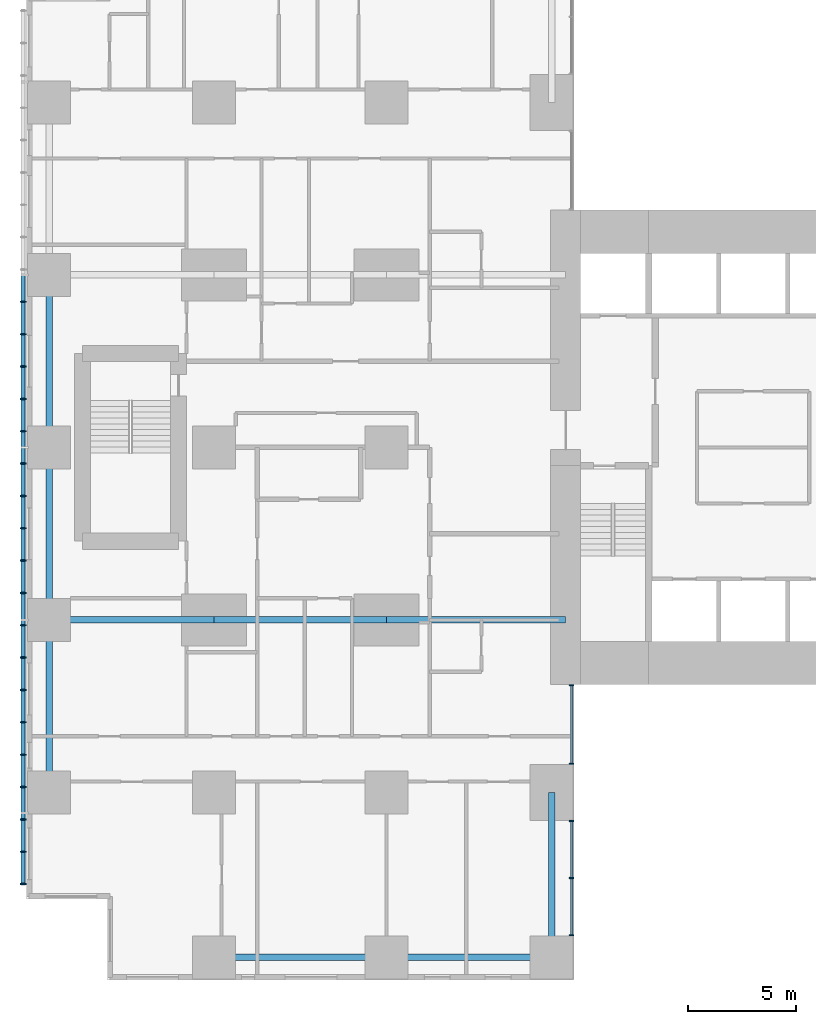
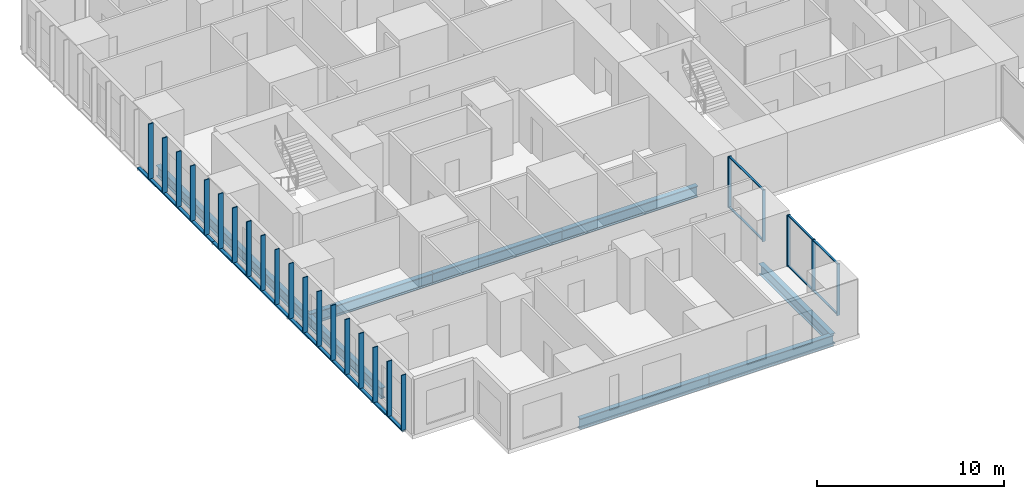
# One storey, part 2 of 20: 33 members, 9 beams, 2 elements without a shape of their own.
"""IFC4 building model written with IfcOpenShell, lengths in metres."""

from ifc_helpers import new_model, si_unit, direction, frame, origin, origin_2d, place, context, subcontext, project, spatial, rectangle, hollow_rectangle, i_section, extrude, material, layer, layer_set, material_profile, profile_set, type_object, element, aggregate, save


model = new_model("IFC4")

# Units and contexts
model_context = context("Model", 3, precision=1e-05, world=origin(), true_north=direction((0.0, 1.0)))
body_context = subcontext(model_context, "Body", "Model", "MODEL_VIEW")
ifc_project = project(units=[si_unit("LENGTHUNIT", "METRE"), si_unit("AREAUNIT", "SQUARE_METRE"), si_unit("VOLUMEUNIT", "CUBIC_METRE"), si_unit("PLANEANGLEUNIT", "RADIAN"), si_unit("MASSUNIT", "GRAM", prefix="KILO")], contexts=[model_context])

# Site, building, storey
site_placement = place(None, origin())
site = spatial("IfcSite", under=ifc_project, at=site_placement, CompositionType="ELEMENT")
building_placement = place(site_placement, origin())
building = spatial("IfcBuilding", under=site, at=building_placement, Name="Cleftline Residences", CompositionType="ELEMENT")
storey_placement = place(building_placement, frame((0.0, 0.0, 117.800048828125)))
storey = spatial("IfcBuildingStorey", under=building, at=storey_placement, Name="L30", CompositionType="ELEMENT", Elevation=117.800048828125)

# Members
ifc_material_1 = material(Name="Steel S355, hot-dip galvanised", Category="steel")
ifc_material_profile_1 = material_profile(ifc_material_1, hollow_rectangle(XDim=0.10009765625, YDim=0.199951171875, WallThickness=0.008056640625, InnerFilletRadius=0.008056640625, OuterFilletRadius=0.011962890625, at=origin_2d()))
ifc_profile_set_1 = profile_set([ifc_material_profile_1], Name="Steel S355, hot-dip galvanised")
member_type_1 = type_object("IfcMemberType", Name="BAGUETTE CARRIER RHS 200X100X8", PredefinedType="USERDEFINED", material=ifc_profile_set_1)
for number, where, z_axis, x_axis, name in (
    (1, (-0.85009765625, 32.0, -0.050048828125), (0.0, -1.0, 0.0), (0.0, 0.0, 1.0), "Baguette carrier"),
    (2, (-0.85009765625, 24.0, -0.050048828125), (0.0, -1.0, 0.0), (0.0, 0.0, 1.0), "Baguette carrier"),
):
    element("IfcMember", number, at=place(storey_placement, frame(where, z_axis=z_axis, x_axis=x_axis)), inside=storey, type_object=member_type_1, Name=name, ObjectType="BAGUETTE CARRIER", PredefinedType="USERDEFINED", context=body_context, shape_type="SweptSolid", body=[
        extrude(hollow_rectangle(XDim=0.10009765625, YDim=0.199951171875, WallThickness=0.008056640625, InnerFilletRadius=0.008056640625, OuterFilletRadius=0.011962890625, at=origin_2d()), origin(), (0.0, 0.0, 1.0), 8.0),
    ])
member_1_placement = place(storey_placement, frame((-0.85009765625, 16.0, -0.050048828125), z_axis=(0.0, -1.0, 0.0), x_axis=(0.0, 0.0, 1.0)))
element("IfcMember", 3, at=member_1_placement, inside=storey, type_object=member_type_1, Name="Baguette carrier", ObjectType="BAGUETTE CARRIER", PredefinedType="USERDEFINED", context=body_context, shape_type="SweptSolid", body=[
    extrude(hollow_rectangle(XDim=0.10009765625, YDim=0.199951171875, WallThickness=0.008056640625, InnerFilletRadius=0.008056640625, OuterFilletRadius=0.011962890625, at=origin_2d()), origin(), (0.0, 0.0, 1.0), 12.300048828125),
])

# Beams
ifc_material_2 = material(Name="Steel S355", Category="steel")
ifc_material_profile_2 = material_profile(ifc_material_2, i_section(OverallWidth=0.300048828125, OverallDepth=0.699951171875, WebThickness=0.01708984375, FlangeThickness=0.031982421875, FilletRadius=0.027099609375, at=origin_2d()))
ifc_profile_set_2 = profile_set([ifc_material_profile_2], Name="Steel S355")
beam_type_1 = type_object("IfcBeamType", Name="BEAM HEB 700", PredefinedType="BEAM", material=ifc_profile_set_2)
for number, where, z_axis, x_axis, name in (
    (4, (0.35009765625, 8.0, -0.60009765625), (0.0, 1.0, 0.0), (-1.0, 0.0, 0.0), "Edge beam"),
    (5, (0.35009765625, 16.0, -0.60009765625), (0.0, 1.0, 0.0), (-1.0, 0.0, 0.0), "Edge beam"),
    (6, (0.35009765625, 24.0, -0.60009765625), (0.0, 1.0, 0.0), (-1.0, 0.0, 0.0), "Edge beam"),
    (7, (8.0, 0.35009765625, -0.60009765625), (1.0, 0.0, 0.0), (0.0, 1.0, 0.0), "Edge beam"),
):
    element("IfcBeam", number, at=place(storey_placement, frame(where, z_axis=z_axis, x_axis=x_axis)), inside=storey, type_object=beam_type_1, Name=name, PredefinedType="BEAM", context=body_context, shape_type="SweptSolid", body=[
        extrude(i_section(OverallWidth=0.300048828125, OverallDepth=0.699951171875, WebThickness=0.01708984375, FlangeThickness=0.031982421875, FilletRadius=0.027099609375, at=origin_2d()), origin(), (0.0, 0.0, 1.0), 8.0),
    ])
for number, where, z_axis, x_axis, name in (
    (8, (16.0, 0.35009765625, -0.60009765625), (1.0, 0.0, 0.0), (0.0, 1.0, 0.0), "Edge beam"),
    (9, (23.64990234375, 0.35009765625, -0.60009765625), (0.0, 1.0, 0.0), (-1.0, 0.0, 0.0), "Edge beam"),
):
    element("IfcBeam", number, at=place(storey_placement, frame(where, z_axis=z_axis, x_axis=x_axis)), inside=storey, type_object=beam_type_1, Name=name, PredefinedType="BEAM", context=body_context, shape_type="SweptSolid", body=[
        extrude(i_section(OverallWidth=0.300048828125, OverallDepth=0.699951171875, WebThickness=0.01708984375, FlangeThickness=0.031982421875, FilletRadius=0.027099609375, at=origin_2d()), origin(), (0.0, 0.0, 1.0), 7.64990234375),
    ])
ifc_material_3 = material(Name="Steel S355", Category="steel")
ifc_material_profile_3 = material_profile(ifc_material_3, i_section(OverallWidth=0.303955078125, OverallDepth=0.716064453125, WebThickness=0.02099609375, FlangeThickness=0.0400390625, FilletRadius=0.027099609375, at=origin_2d()))
ifc_profile_set_3 = profile_set([ifc_material_profile_3], Name="Steel S355")
beam_type_2 = type_object("IfcBeamType", Name="BEAM HEM 700", PredefinedType="BEAM", material=ifc_profile_set_3)
beam_1_placement = place(storey_placement, frame((0.35009765625, 16.0, -0.608154296875), z_axis=(1.0, 0.0, 0.0), x_axis=(0.0, 1.0, 0.0)))
element("IfcBeam", 10, at=beam_1_placement, inside=storey, type_object=beam_type_2, Name="Band beam", PredefinedType="BEAM", context=body_context, shape_type="SweptSolid", body=[
    extrude(i_section(OverallWidth=0.303955078125, OverallDepth=0.716064453125, WebThickness=0.02099609375, FlangeThickness=0.0400390625, FilletRadius=0.027099609375, at=origin_2d()), origin(), (0.0, 0.0, 1.0), 7.64990234375),
])
beam_2_placement = place(storey_placement, frame((8.0, 16.0, -0.608154296875), z_axis=(1.0, 0.0, 0.0), x_axis=(0.0, 1.0, 0.0)))
element("IfcBeam", 11, at=beam_2_placement, inside=storey, type_object=beam_type_2, Name="Band beam", PredefinedType="BEAM", context=body_context, shape_type="SweptSolid", body=[
    extrude(i_section(OverallWidth=0.303955078125, OverallDepth=0.716064453125, WebThickness=0.02099609375, FlangeThickness=0.0400390625, FilletRadius=0.027099609375, at=origin_2d()), origin(), (0.0, 0.0, 1.0), 8.0),
])
beam_3_placement = place(storey_placement, frame((16.0, 16.0, -0.608154296875), z_axis=(1.0, 0.0, 0.0), x_axis=(0.0, 1.0, 0.0)))
element("IfcBeam", 12, at=beam_3_placement, inside=storey, type_object=beam_type_2, Name="Band beam", PredefinedType="BEAM", context=body_context, shape_type="SweptSolid", body=[
    extrude(i_section(OverallWidth=0.303955078125, OverallDepth=0.716064453125, WebThickness=0.02099609375, FlangeThickness=0.0400390625, FilletRadius=0.027099609375, at=origin_2d()), origin(), (0.0, 0.0, 1.0), 8.300048828125),
])

# Curtain wall, members
ifc_material_4 = material(Name="Aluminium framed curtain wall", Category="aluminium")
ifc_layer = layer(ifc_material_4, 0.199951171875)
ifc_layer_set = layer_set([ifc_layer], Name="CW1 CLEFT GLAZING")
curtain_wall_type = type_object("IfcCurtainWallType", Name="CW1 CLEFT GLAZING", PredefinedType="NOTDEFINED", material=ifc_layer_set)
curtain_wall_1_placement = place(storey_placement, origin())
curtain_wall_1 = element("IfcCurtainWall", 13, at=curtain_wall_1_placement, inside=storey, type_object=curtain_wall_type, Name="Curtain wall CW1", PredefinedType="NOTDEFINED")
ifc_material_5 = material(Name="Aluminium mullion", Category="aluminium")
ifc_material_profile_4 = material_profile(ifc_material_5, rectangle(XDim=0.199951171875, YDim=0.06005859375, at=origin_2d()))
ifc_profile_set_4 = profile_set([ifc_material_profile_4], Name="Aluminium mullion")
member_type_2 = type_object("IfcMemberType", Name="CW1 MULLION", PredefinedType="MULLION", material=ifc_profile_set_4)
member_2_placement = place(storey_placement, frame((24.574951171875, 1.3798828125, 0.0), z_axis=(0.0, 0.0, 1.0), x_axis=(-1.0, 0.0, 0.0)))
member_2 = element("IfcMember", 14, at=member_2_placement, type_object=member_type_2, Name="CW1 mullion 1", PredefinedType="MULLION", context=body_context, shape_type="SweptSolid", body=[
    extrude(rectangle(XDim=0.199951171875, YDim=0.06005859375, at=origin_2d()), origin(), (0.0, 0.0, 1.0), 3.349853515625),
])
member_3_placement = place(storey_placement, frame((24.574951171875, 4.02490234375, 0.0), z_axis=(0.0, 0.0, 1.0), x_axis=(-1.0, 0.0, 0.0)))
member_3 = element("IfcMember", 15, at=member_3_placement, type_object=member_type_2, Name="CW1 mullion 2", PredefinedType="MULLION", context=body_context, shape_type="SweptSolid", body=[
    extrude(rectangle(XDim=0.199951171875, YDim=0.06005859375, at=origin_2d()), origin(), (0.0, 0.0, 1.0), 3.349853515625),
])
member_4_placement = place(storey_placement, frame((24.574951171875, 6.669921875, 0.0), z_axis=(0.0, 0.0, 1.0), x_axis=(-1.0, 0.0, 0.0)))
member_4 = element("IfcMember", 16, at=member_4_placement, type_object=member_type_2, Name="CW1 mullion 3", PredefinedType="MULLION", context=body_context, shape_type="SweptSolid", body=[
    extrude(rectangle(XDim=0.199951171875, YDim=0.06005859375, at=origin_2d()), origin(), (0.0, 0.0, 1.0), 3.349853515625),
])

curtain_wall_2_placement = place(storey_placement, origin())
curtain_wall_2 = element("IfcCurtainWall", 17, at=curtain_wall_2_placement, inside=storey, type_object=curtain_wall_type, Name="Curtain wall CW1", PredefinedType="NOTDEFINED")
member_5_placement = place(storey_placement, frame((24.574951171875, 9.330078125, 0.0), z_axis=(0.0, 0.0, 1.0), x_axis=(-1.0, 0.0, 0.0)))
member_5 = element("IfcMember", 18, at=member_5_placement, type_object=member_type_2, Name="CW1 mullion 1", PredefinedType="MULLION", context=body_context, shape_type="SweptSolid", body=[
    extrude(rectangle(XDim=0.199951171875, YDim=0.06005859375, at=origin_2d()), origin(), (0.0, 0.0, 1.0), 3.349853515625),
])
member_6_placement = place(storey_placement, frame((24.574951171875, 12.969970703125, 0.0), z_axis=(0.0, 0.0, 1.0), x_axis=(-1.0, 0.0, 0.0)))
member_6 = element("IfcMember", 19, at=member_6_placement, type_object=member_type_2, Name="CW1 mullion 2", PredefinedType="MULLION", context=body_context, shape_type="SweptSolid", body=[
    extrude(rectangle(XDim=0.199951171875, YDim=0.06005859375, at=origin_2d()), origin(), (0.0, 0.0, 1.0), 3.349853515625),
])

# Member
ifc_material_6 = material(Name="Aluminium transom", Category="aluminium")
ifc_material_profile_5 = material_profile(ifc_material_6, rectangle(XDim=0.1201171875, YDim=0.06005859375, at=origin_2d()))
ifc_profile_set_5 = profile_set([ifc_material_profile_5], Name="Aluminium transom")
member_type_3 = type_object("IfcMemberType", Name="CW1 TRANSOM", PredefinedType="USERDEFINED", material=ifc_profile_set_5)
member_7_placement = place(storey_placement, frame((24.574951171875, 1.409912109375, 0.030029296875), z_axis=(0.0, 1.0, 0.0), x_axis=(-1.0, 0.0, 0.0)))
member_7 = element("IfcMember", 20, at=member_7_placement, type_object=member_type_3, Name="CW1 transom 1.1", ObjectType="TRANSOM", PredefinedType="USERDEFINED", context=body_context, shape_type="SweptSolid", body=[
    extrude(rectangle(XDim=0.1201171875, YDim=0.06005859375, at=origin_2d()), origin(), (0.0, 0.0, 1.0), 2.585205078125),
])

member_8_placement = place(storey_placement, frame((24.574951171875, 1.409912109375, 3.320068359375), z_axis=(0.0, 1.0, 0.0), x_axis=(-1.0, 0.0, 0.0)))
member_8 = element("IfcMember", 21, at=member_8_placement, type_object=member_type_3, Name="CW1 transom 1.2", ObjectType="TRANSOM", PredefinedType="USERDEFINED", context=body_context, shape_type="SweptSolid", body=[
    extrude(rectangle(XDim=0.1201171875, YDim=0.06005859375, at=origin_2d()), origin(), (0.0, 0.0, 1.0), 2.585205078125),
])

member_9_placement = place(storey_placement, frame((24.574951171875, 4.054931640625, 0.030029296875), z_axis=(0.0, 1.0, 0.0), x_axis=(-1.0, 0.0, 0.0)))
member_9 = element("IfcMember", 22, at=member_9_placement, type_object=member_type_3, Name="CW1 transom 2.1", ObjectType="TRANSOM", PredefinedType="USERDEFINED", context=body_context, shape_type="SweptSolid", body=[
    extrude(rectangle(XDim=0.1201171875, YDim=0.06005859375, at=origin_2d()), origin(), (0.0, 0.0, 1.0), 2.5849609375),
])

member_10_placement = place(storey_placement, frame((24.574951171875, 4.054931640625, 3.320068359375), z_axis=(0.0, 1.0, 0.0), x_axis=(-1.0, 0.0, 0.0)))
member_10 = element("IfcMember", 23, at=member_10_placement, type_object=member_type_3, Name="CW1 transom 2.2", ObjectType="TRANSOM", PredefinedType="USERDEFINED", context=body_context, shape_type="SweptSolid", body=[
    extrude(rectangle(XDim=0.1201171875, YDim=0.06005859375, at=origin_2d()), origin(), (0.0, 0.0, 1.0), 2.5849609375),
])

aggregate(curtain_wall_1, [member_2, member_3, member_4, member_7, member_8, member_9, member_10])

member_11_placement = place(storey_placement, frame((24.574951171875, 9.360107421875, 0.030029296875), z_axis=(0.0, 1.0, 0.0), x_axis=(-1.0, 0.0, 0.0)))
member_11 = element("IfcMember", 24, at=member_11_placement, type_object=member_type_3, Name="CW1 transom 1.1", ObjectType="TRANSOM", PredefinedType="USERDEFINED", context=body_context, shape_type="SweptSolid", body=[
    extrude(rectangle(XDim=0.1201171875, YDim=0.06005859375, at=origin_2d()), origin(), (0.0, 0.0, 1.0), 3.579833984375),
])

member_12_placement = place(storey_placement, frame((24.574951171875, 9.360107421875, 3.320068359375), z_axis=(0.0, 1.0, 0.0), x_axis=(-1.0, 0.0, 0.0)))
member_12 = element("IfcMember", 25, at=member_12_placement, type_object=member_type_3, Name="CW1 transom 1.2", ObjectType="TRANSOM", PredefinedType="USERDEFINED", context=body_context, shape_type="SweptSolid", body=[
    extrude(rectangle(XDim=0.1201171875, YDim=0.06005859375, at=origin_2d()), origin(), (0.0, 0.0, 1.0), 3.579833984375),
])

aggregate(curtain_wall_2, [member_5, member_6, member_11, member_12])

# Members
ifc_material_7 = material(Name="Extruded terracotta", Category="masonry")
ifc_material_profile_6 = material_profile(ifc_material_7, rectangle(XDim=0.06005859375, YDim=0.300048828125, at=origin_2d()))
ifc_profile_set_6 = profile_set([ifc_material_profile_6], Name="Extruded terracotta")
member_type_4 = type_object("IfcMemberType", Name="TERRACOTTA BAGUETTE 60X300", PredefinedType="USERDEFINED", material=ifc_profile_set_6)
for number, where, z_axis, x_axis, name in (
    (26, (-0.85009765625, 30.75, 0.0), (0.0, 0.0, 1.0), (0.0, 1.0, 0.0), "Terracotta baguette"),
    (27, (-0.85009765625, 29.25, 0.0), (0.0, 0.0, 1.0), (0.0, 1.0, 0.0), "Terracotta baguette"),
    (28, (-0.85009765625, 27.75, 0.0), (0.0, 0.0, 1.0), (0.0, 1.0, 0.0), "Terracotta baguette"),
    (29, (-0.85009765625, 26.25, 0.0), (0.0, 0.0, 1.0), (0.0, 1.0, 0.0), "Terracotta baguette"),
    (30, (-0.85009765625, 24.75, 0.0), (0.0, 0.0, 1.0), (0.0, 1.0, 0.0), "Terracotta baguette"),
    (31, (-0.85009765625, 23.25, 0.0), (0.0, 0.0, 1.0), (0.0, 1.0, 0.0), "Terracotta baguette"),
    (32, (-0.85009765625, 21.75, 0.0), (0.0, 0.0, 1.0), (0.0, 1.0, 0.0), "Terracotta baguette"),
    (33, (-0.85009765625, 20.25, 0.0), (0.0, 0.0, 1.0), (0.0, 1.0, 0.0), "Terracotta baguette"),
    (34, (-0.85009765625, 18.75, 0.0), (0.0, 0.0, 1.0), (0.0, 1.0, 0.0), "Terracotta baguette"),
    (35, (-0.85009765625, 17.25, 0.0), (0.0, 0.0, 1.0), (0.0, 1.0, 0.0), "Terracotta baguette"),
    (36, (-0.85009765625, 15.75, 0.0), (0.0, 0.0, 1.0), (0.0, 1.0, 0.0), "Terracotta baguette"),
    (37, (-0.85009765625, 14.25, 0.0), (0.0, 0.0, 1.0), (0.0, 1.0, 0.0), "Terracotta baguette"),
    (38, (-0.85009765625, 12.75, 0.0), (0.0, 0.0, 1.0), (0.0, 1.0, 0.0), "Terracotta baguette"),
    (39, (-0.85009765625, 11.25, 0.0), (0.0, 0.0, 1.0), (0.0, 1.0, 0.0), "Terracotta baguette"),
    (40, (-0.85009765625, 9.75, 0.0), (0.0, 0.0, 1.0), (0.0, 1.0, 0.0), "Terracotta baguette"),
    (41, (-0.85009765625, 8.25, 0.0), (0.0, 0.0, 1.0), (0.0, 1.0, 0.0), "Terracotta baguette"),
    (42, (-0.85009765625, 6.75, 0.0), (0.0, 0.0, 1.0), (0.0, 1.0, 0.0), "Terracotta baguette"),
    (43, (-0.85009765625, 5.25, 0.0), (0.0, 0.0, 1.0), (0.0, 1.0, 0.0), "Terracotta baguette"),
    (44, (-0.85009765625, 3.75, 0.0), (0.0, 0.0, 1.0), (0.0, 1.0, 0.0), "Terracotta baguette"),
):
    element("IfcMember", number, at=place(storey_placement, frame(where, z_axis=z_axis, x_axis=x_axis)), inside=storey, type_object=member_type_4, Name=name, ObjectType="BAGUETTE", PredefinedType="USERDEFINED", context=body_context, shape_type="SweptSolid", body=[
        extrude(rectangle(XDim=0.06005859375, YDim=0.300048828125, at=origin_2d()), origin(), (0.0, 0.0, 1.0), 3.599853515625),
    ])

save(model, "model.ifc")
